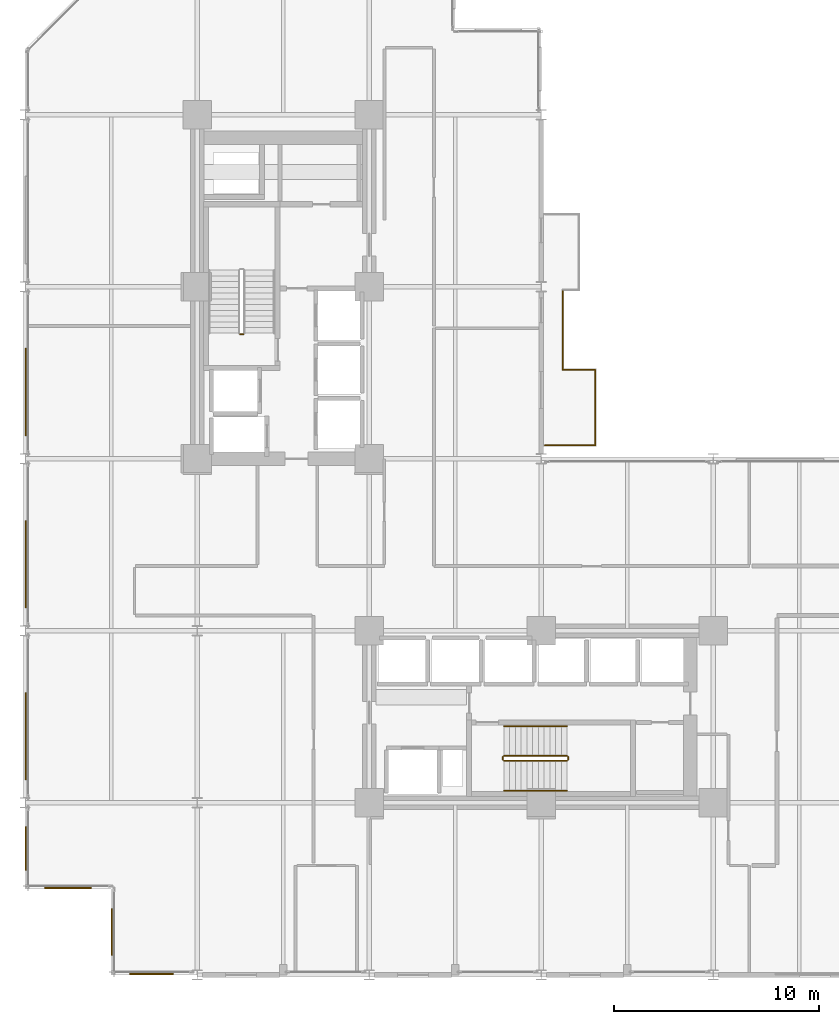
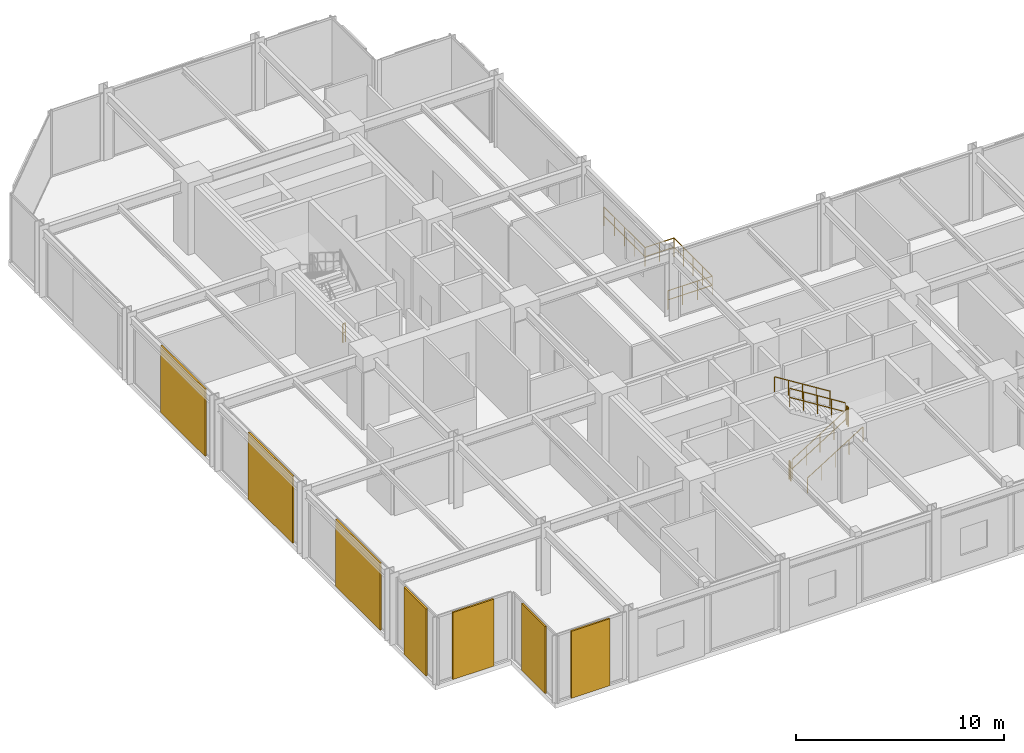
# One storey, part 22 of 24: 11 railings, 7 coverings.
"""IFC4 building model written with IfcOpenShell, lengths in metres."""

from ifc_helpers import new_model, si_unit, direction, frame, origin, origin_2d, place, context, subcontext, project, spatial, rectangle, circle, extrude, material, layer, layer_set, type_object, element, save


model = new_model("IFC4")

# Units and contexts
model_context = context("Model", 3, precision=1e-05, world=origin(), true_north=direction((0.0, 1.0)))
body_context = subcontext(model_context, "Body", "Model", "MODEL_VIEW")
ifc_project = project(units=[si_unit("LENGTHUNIT", "METRE"), si_unit("AREAUNIT", "SQUARE_METRE"), si_unit("VOLUMEUNIT", "CUBIC_METRE"), si_unit("PLANEANGLEUNIT", "RADIAN"), si_unit("MASSUNIT", "GRAM", prefix="KILO")], contexts=[model_context])

# Site, building, storey
site_placement = place(None, origin())
site = spatial("IfcSite", under=ifc_project, at=site_placement, CompositionType="ELEMENT")
building_placement = place(site_placement, origin())
building = spatial("IfcBuilding", under=site, at=building_placement, Name="Nerrivon Quay Data Exchange", CompositionType="ELEMENT")
storey_placement = place(building_placement, frame((0.0, 0.0, 33.199951171875)))
storey = spatial("IfcBuildingStorey", under=building, at=storey_placement, Name="L07", CompositionType="ELEMENT", Elevation=33.199951171875)

# Coverings
ifc_material_1 = material(Name="Architectural terracotta ceramic", Category="masonry")
ifc_layer = layer(ifc_material_1, 0.090087890625)
ifc_layer_set = layer_set([ifc_layer], Name="Architectural terracotta ceramic")
covering_type = type_object("IfcCoveringType", Name="COV-SCR-TERR", PredefinedType="CLADDING", material=ifc_layer_set)
covering_1_placement = place(storey_placement, frame((6.175048828125, 0.044921875, 0.0), z_axis=(0.0, 0.0, 1.0), x_axis=(-1.0, 0.0, 0.0)))
element("IfcCovering", 1, at=covering_1_placement, inside=storey, type_object=covering_type, Name="L07 Perforated Terracotta SOLAR SCREEN Cassette", PredefinedType="CLADDING", context=body_context, shape_type="SweptSolid", body=[
    extrude(rectangle(XDim=2.133056640625, YDim=0.090087890625, at=origin_2d()), origin(), (0.0, 0.0, 1.0), 3.925048828125),
])
for number, where, z_axis, x_axis, name in (
    (2, (4.2451171875, 2.10009765625, 0.0), (0.0, 0.0, 1.0), (0.0, 1.0, 0.0), "L07 Perforated Terracotta SOLAR SCREEN Cassette"),
    (3, (2.10009765625, 4.2451171875, 0.0), (0.0, 0.0, 1.0), (-1.0, 0.0, 0.0), "L07 Perforated Terracotta SOLAR SCREEN Cassette"),
):
    element("IfcCovering", number, at=place(storey_placement, frame(where, z_axis=z_axis, x_axis=x_axis)), inside=storey, type_object=covering_type, Name=name, PredefinedType="CLADDING", context=body_context, shape_type="SweptSolid", body=[
        extrude(rectangle(XDim=2.26806640625, YDim=0.090087890625, at=origin_2d()), origin(), (0.0, 0.0, 1.0), 3.925048828125),
    ])
covering_2_placement = place(storey_placement, frame((0.044921875, 6.175048828125, 0.0), z_axis=(0.0, 0.0, 1.0), x_axis=(0.0, 1.0, 0.0)))
element("IfcCovering", 4, at=covering_2_placement, inside=storey, type_object=covering_type, Name="L07 Perforated Terracotta SOLAR SCREEN Cassette", PredefinedType="CLADDING", context=body_context, shape_type="SweptSolid", body=[
    extrude(rectangle(XDim=2.133056640625, YDim=0.090087890625, at=origin_2d()), origin(), (0.0, 0.0, 1.0), 3.925048828125),
])
for number, where, z_axis, x_axis, name in (
    (5, (0.044921875, 11.652099609375, 0.0), (0.0, 0.0, 1.0), (0.0, 1.0, 0.0), "L07 Perforated Terracotta SOLAR SCREEN Cassette"),
    (6, (0.044921875, 20.052001953125, 0.0), (0.0, 0.0, 1.0), (0.0, 1.0, 0.0), "L07 Perforated Terracotta SOLAR SCREEN Cassette"),
    (7, (0.044921875, 28.451904296875, 0.0), (0.0, 0.0, 1.0), (0.0, 1.0, 0.0), "L07 Perforated Terracotta SOLAR SCREEN Cassette"),
):
    element("IfcCovering", number, at=place(storey_placement, frame(where, z_axis=z_axis, x_axis=x_axis)), inside=storey, type_object=covering_type, Name=name, PredefinedType="CLADDING", context=body_context, shape_type="SweptSolid", body=[
        extrude(rectangle(XDim=4.26611328125, YDim=0.090087890625, at=origin_2d()), origin(), (0.0, 0.0, 1.0), 3.925048828125),
    ])

# Railings
ifc_material_2 = material(Name="Steel Grade C350L0 (350 MPa)", Category="steel")
railing_type_1 = type_object("IfcRailingType", Name="RAIL-GUARD-GR2", PredefinedType="BALUSTRADE", material=ifc_material_2)
railing_1_placement = place(storey_placement, frame((26.239990234375, 29.5400390625, 0.0)))
element("IfcRailing", 8, at=railing_1_placement, inside=storey, type_object=railing_type_1, Name="L07 Verandah Balcony Guard 1.1 1", PredefinedType="BALUSTRADE", context=body_context, shape_type="SweptSolid", body=[
    extrude(circle(Radius=0.02392578125, at=origin_2d()), frame((0.0, 0.0, 1.09619140625), z_axis=(1.0, 0.0, 0.0), x_axis=(0.0, 1.0, 0.0)), (0.0, 0.0, 1.0), 1.60009765625),
    extrude(circle(Radius=0.02392578125, at=origin_2d()), frame((0.0, 0.0, 0.56005859375), z_axis=(1.0, 0.0, 0.0), x_axis=(0.0, 1.0, 0.0)), (0.0, 0.0, 1.0), 1.60009765625),
    extrude(circle(Radius=0.02099609375, at=origin_2d()), origin(), (0.0, 0.0, 1.0), 1.072021484375),
    extrude(circle(Radius=0.02099609375, at=origin_2d()), frame((0.800048828125, 0.0, 0.0)), (0.0, 0.0, 1.0), 1.072021484375),
    extrude(circle(Radius=0.02099609375, at=origin_2d()), frame((1.60009765625, 0.0, 0.0)), (0.0, 0.0, 1.0), 1.072021484375),
])
railing_2_placement = place(storey_placement, frame((27.840087890625, 29.5400390625, 0.0)))
element("IfcRailing", 9, at=railing_2_placement, inside=storey, type_object=railing_type_1, Name="L07 Verandah Balcony Guard 1.2 1", PredefinedType="BALUSTRADE", context=body_context, shape_type="SweptSolid", body=[
    extrude(circle(Radius=0.02392578125, at=origin_2d()), frame((0.0, 0.0, 1.09619140625), z_axis=(0.0, -1.0, 0.0), x_axis=(1.0, 0.0, 0.0)), (0.0, 0.0, 1.0), 3.679931640625),
    extrude(circle(Radius=0.02392578125, at=origin_2d()), frame((0.0, 0.0, 0.56005859375), z_axis=(0.0, -1.0, 0.0), x_axis=(1.0, 0.0, 0.0)), (0.0, 0.0, 1.0), 3.679931640625),
    extrude(circle(Radius=0.02099609375, at=origin_2d()), origin(), (0.0, 0.0, 1.0), 1.072021484375),
    extrude(circle(Radius=0.02099609375, at=origin_2d()), frame((0.0, -0.919921875, 0.0)), (0.0, 0.0, 1.0), 1.072021484375),
    extrude(circle(Radius=0.02099609375, at=origin_2d()), frame((0.0, -1.83984375, 0.0)), (0.0, 0.0, 1.0), 1.072021484375),
    extrude(circle(Radius=0.02099609375, at=origin_2d()), frame((0.0, -2.760009765625, 0.0)), (0.0, 0.0, 1.0), 1.072021484375),
    extrude(circle(Radius=0.02099609375, at=origin_2d()), frame((0.0, -3.679931640625, 0.0)), (0.0, 0.0, 1.0), 1.072021484375),
])
railing_3_placement = place(storey_placement, frame((27.840087890625, 25.860107421875, 0.0)))
element("IfcRailing", 10, at=railing_3_placement, inside=storey, type_object=railing_type_1, Name="L07 Verandah Balcony Guard 1.3 1", PredefinedType="BALUSTRADE", context=body_context, shape_type="SweptSolid", body=[
    extrude(circle(Radius=0.02392578125, at=origin_2d()), frame((0.0, 0.0, 1.09619140625), z_axis=(-1.0, 0.0, 0.0), x_axis=(0.0, -1.0, 0.0)), (0.0, 0.0, 1.0), 2.460205078125),
    extrude(circle(Radius=0.02392578125, at=origin_2d()), frame((0.0, 0.0, 0.56005859375), z_axis=(-1.0, 0.0, 0.0), x_axis=(0.0, -1.0, 0.0)), (0.0, 0.0, 1.0), 2.460205078125),
    extrude(circle(Radius=0.02099609375, at=origin_2d()), origin(), (0.0, 0.0, 1.0), 1.072021484375),
    extrude(circle(Radius=0.02099609375, at=origin_2d()), frame((-0.820068359375, 0.0, 0.0)), (0.0, 0.0, 1.0), 1.072021484375),
    extrude(circle(Radius=0.02099609375, at=origin_2d()), frame((-1.64013671875, 0.0, 0.0)), (0.0, 0.0, 1.0), 1.072021484375),
    extrude(circle(Radius=0.02099609375, at=origin_2d()), frame((-2.460205078125, 0.0, 0.0)), (0.0, 0.0, 1.0), 1.072021484375),
])
railing_4_placement = place(storey_placement, frame((26.239990234375, 33.4599609375, 0.0)))
element("IfcRailing", 11, at=railing_4_placement, inside=storey, type_object=railing_type_1, Name="L07 Verandah Balcony Guard 1.7 1", PredefinedType="BALUSTRADE", context=body_context, shape_type="SweptSolid", body=[
    extrude(circle(Radius=0.02392578125, at=origin_2d()), frame((0.0, 0.0, 1.09619140625), z_axis=(0.0, -1.0, 0.0), x_axis=(1.0, 0.0, 0.0)), (0.0, 0.0, 1.0), 3.919921875),
    extrude(circle(Radius=0.02392578125, at=origin_2d()), frame((0.0, 0.0, 0.56005859375), z_axis=(0.0, -1.0, 0.0), x_axis=(1.0, 0.0, 0.0)), (0.0, 0.0, 1.0), 3.919921875),
    extrude(circle(Radius=0.02099609375, at=origin_2d()), origin(), (0.0, 0.0, 1.0), 1.072021484375),
    extrude(circle(Radius=0.02099609375, at=origin_2d()), frame((0.0, -0.97998046875, 0.0)), (0.0, 0.0, 1.0), 1.072021484375),
    extrude(circle(Radius=0.02099609375, at=origin_2d()), frame((0.0, -1.9599609375, 0.0)), (0.0, 0.0, 1.0), 1.072021484375),
    extrude(circle(Radius=0.02099609375, at=origin_2d()), frame((0.0, -2.93994140625, 0.0)), (0.0, 0.0, 1.0), 1.072021484375),
    extrude(circle(Radius=0.02099609375, at=origin_2d()), frame((0.0, -3.919921875, 0.0)), (0.0, 0.0, 1.0), 1.072021484375),
])
railing_type_2 = type_object("IfcRailingType", Name="RAIL-HAND-HR1", PredefinedType="HANDRAIL", material=ifc_material_2)
railing_5_placement = place(storey_placement, frame((23.3798828125, 9.0, 0.175048828125)))
element("IfcRailing", 12, at=railing_5_placement, inside=storey, type_object=railing_type_2, Name="L07 ST02 stair handrail 1", PredefinedType="HANDRAIL", context=body_context, shape_type="SweptSolid", body=[
    extrude(circle(Radius=0.02392578125, at=origin_2d()), frame((0.0, 0.0, 0.8759765625), z_axis=(0.847998304005, 0.0, 0.529998940003), x_axis=(0.0, 1.0, 0.0)), (0.0, 0.0, 1.0), 3.632080078125),
    extrude(circle(Radius=0.02099609375, at=origin_2d()), origin(), (0.0, 0.0, 1.0), 0.851806640625),
    extrude(circle(Radius=0.02099609375, at=origin_2d()), frame((0.77001953125, 0.0, 0.481201171875)), (0.0, 0.0, 1.0), 0.851806640625),
    extrude(circle(Radius=0.02099609375, at=origin_2d()), frame((1.5400390625, 0.0, 0.96240234375)), (0.0, 0.0, 1.0), 0.851806640625),
    extrude(circle(Radius=0.02099609375, at=origin_2d()), frame((2.31005859375, 0.0, 1.44384765625)), (0.0, 0.0, 1.0), 0.851806640625),
    extrude(circle(Radius=0.02099609375, at=origin_2d()), frame((3.080078125, 0.0, 1.925048828125)), (0.0, 0.0, 1.0), 0.851806640625),
])
railing_6_placement = place(storey_placement, frame((26.4599609375, 12.14990234375, 2.275146484375)))
element("IfcRailing", 13, at=railing_6_placement, inside=storey, type_object=railing_type_2, Name="L07 ST02 stair handrail 2", PredefinedType="HANDRAIL", context=body_context, shape_type="SweptSolid", body=[
    extrude(circle(Radius=0.02392578125, at=origin_2d()), frame((0.0, 0.0, 0.8759765625), z_axis=(-0.848028513186, 0.0, 0.529950602248), x_axis=(0.0, -1.0, 0.0)), (0.0, 0.0, 1.0), 3.632080078125),
    extrude(circle(Radius=0.02099609375, at=origin_2d()), origin(), (0.0, 0.0, 1.0), 0.851806640625),
    extrude(circle(Radius=0.02099609375, at=origin_2d()), frame((-0.77001953125, 0.0, 0.481201171875)), (0.0, 0.0, 1.0), 0.851806640625),
    extrude(circle(Radius=0.02099609375, at=origin_2d()), frame((-1.5400390625, 0.0, 0.96240234375)), (0.0, 0.0, 1.0), 0.851806640625),
    extrude(circle(Radius=0.02099609375, at=origin_2d()), frame((-2.31005859375, 0.0, 1.443603515625)), (0.0, 0.0, 1.0), 0.851806640625),
    extrude(circle(Radius=0.02099609375, at=origin_2d()), frame((-3.080078125, 0.0, 1.9248046875)), (0.0, 0.0, 1.0), 0.851806640625),
])
railing_type_3 = type_object("IfcRailingType", Name="RAIL-STAIR-GR1", PredefinedType="BALUSTRADE", material=ifc_material_2)
railing_7_placement = place(storey_placement, frame((10.64990234375, 31.280029296875, 0.0)))
element("IfcRailing", 14, at=railing_7_placement, inside=storey, type_object=railing_type_3, Name="L07 ST01 stair guard 4", PredefinedType="BALUSTRADE", context=body_context, shape_type="SweptSolid", body=[
    extrude(circle(Radius=0.02392578125, at=origin_2d()), frame((0.0, 0.0, 1.076171875), z_axis=(-1.0, 0.0, 0.0), x_axis=(0.0, -1.0, 0.0)), (0.0, 0.0, 1.0), 0.14990234375),
    extrude(circle(Radius=0.02392578125, at=origin_2d()), frame((0.0, 0.0, 0.550048828125), z_axis=(-1.0, 0.0, 0.0), x_axis=(0.0, -1.0, 0.0)), (0.0, 0.0, 1.0), 0.14990234375),
    extrude(circle(Radius=0.02099609375, at=origin_2d()), origin(), (0.0, 0.0, 1.0), 1.052001953125),
    extrude(circle(Radius=0.02099609375, at=origin_2d()), frame((-0.14990234375, 0.0, 0.0)), (0.0, 0.0, 1.0), 1.052001953125),
])
railing_8_placement = place(storey_placement, frame((23.3798828125, 10.449951171875, 0.175048828125)))
element("IfcRailing", 15, at=railing_8_placement, inside=storey, type_object=railing_type_3, Name="L07 ST02 stair guard 1", PredefinedType="BALUSTRADE", context=body_context, shape_type="SweptSolid", body=[
    extrude(circle(Radius=0.02392578125, at=origin_2d()), frame((0.0, 0.0, 1.076171875), z_axis=(0.847998304005, 0.0, 0.529998940003), x_axis=(0.0, 1.0, 0.0)), (0.0, 0.0, 1.0), 3.632080078125),
    extrude(circle(Radius=0.02392578125, at=origin_2d()), frame((0.0, 0.0, 0.550048828125), z_axis=(0.847998304005, 0.0, 0.529998940003), x_axis=(0.0, 1.0, 0.0)), (0.0, 0.0, 1.0), 3.632080078125),
    extrude(circle(Radius=0.02099609375, at=origin_2d()), origin(), (0.0, 0.0, 1.0), 1.052001953125),
    extrude(circle(Radius=0.02099609375, at=origin_2d()), frame((0.77001953125, 0.0, 0.481201171875)), (0.0, 0.0, 1.0), 1.052001953125),
    extrude(circle(Radius=0.02099609375, at=origin_2d()), frame((1.5400390625, 0.0, 0.96240234375)), (0.0, 0.0, 1.0), 1.052001953125),
    extrude(circle(Radius=0.02099609375, at=origin_2d()), frame((2.31005859375, 0.0, 1.44384765625)), (0.0, 0.0, 1.0), 1.052001953125),
    extrude(circle(Radius=0.02099609375, at=origin_2d()), frame((3.080078125, 0.0, 1.925048828125)), (0.0, 0.0, 1.0), 1.052001953125),
])
railing_9_placement = place(storey_placement, frame((26.510009765625, 10.5, 2.10009765625)))
element("IfcRailing", 16, at=railing_9_placement, inside=storey, type_object=railing_type_3, Name="L07 ST02 stair guard 2", PredefinedType="BALUSTRADE", context=body_context, shape_type="SweptSolid", body=[
    extrude(circle(Radius=0.02392578125, at=origin_2d()), frame((0.0, 0.0, 1.076171875), z_axis=(0.0, 1.0, 0.0), x_axis=(-1.0, 0.0, 0.0)), (0.0, 0.0, 1.0), 0.14990234375),
    extrude(circle(Radius=0.02392578125, at=origin_2d()), frame((0.0, 0.0, 0.550048828125), z_axis=(0.0, 1.0, 0.0), x_axis=(-1.0, 0.0, 0.0)), (0.0, 0.0, 1.0), 0.14990234375),
    extrude(circle(Radius=0.02099609375, at=origin_2d()), origin(), (0.0, 0.0, 1.0), 1.052001953125),
    extrude(circle(Radius=0.02099609375, at=origin_2d()), frame((0.0, 0.14990234375, 0.0)), (0.0, 0.0, 1.0), 1.052001953125),
])
railing_10_placement = place(storey_placement, frame((26.4599609375, 10.699951171875, 2.275146484375)))
element("IfcRailing", 17, at=railing_10_placement, inside=storey, type_object=railing_type_3, Name="L07 ST02 stair guard 3", PredefinedType="BALUSTRADE", context=body_context, shape_type="SweptSolid", body=[
    extrude(circle(Radius=0.02392578125, at=origin_2d()), frame((0.0, 0.0, 1.076171875), z_axis=(-0.848028513186, 0.0, 0.529950602248), x_axis=(0.0, -1.0, 0.0)), (0.0, 0.0, 1.0), 3.632080078125),
    extrude(circle(Radius=0.02392578125, at=origin_2d()), frame((0.0, 0.0, 0.550048828125), z_axis=(-0.848028513186, 0.0, 0.529950602248), x_axis=(0.0, -1.0, 0.0)), (0.0, 0.0, 1.0), 3.632080078125),
    extrude(circle(Radius=0.02099609375, at=origin_2d()), origin(), (0.0, 0.0, 1.0), 1.052001953125),
    extrude(circle(Radius=0.02099609375, at=origin_2d()), frame((-0.77001953125, 0.0, 0.481201171875)), (0.0, 0.0, 1.0), 1.052001953125),
    extrude(circle(Radius=0.02099609375, at=origin_2d()), frame((-1.5400390625, 0.0, 0.96240234375)), (0.0, 0.0, 1.0), 1.052001953125),
    extrude(circle(Radius=0.02099609375, at=origin_2d()), frame((-2.31005859375, 0.0, 1.443603515625)), (0.0, 0.0, 1.0), 1.052001953125),
    extrude(circle(Radius=0.02099609375, at=origin_2d()), frame((-3.080078125, 0.0, 1.9248046875)), (0.0, 0.0, 1.0), 1.052001953125),
])
railing_11_placement = place(storey_placement, frame((23.330078125, 10.5, 0.0)))
element("IfcRailing", 18, at=railing_11_placement, inside=storey, type_object=railing_type_3, Name="L07 ST02 stair guard 4", PredefinedType="BALUSTRADE", context=body_context, shape_type="SweptSolid", body=[
    extrude(circle(Radius=0.02392578125, at=origin_2d()), frame((0.0, 0.0, 1.076171875), z_axis=(0.0, 1.0, 0.0), x_axis=(-1.0, 0.0, 0.0)), (0.0, 0.0, 1.0), 0.14990234375),
    extrude(circle(Radius=0.02392578125, at=origin_2d()), frame((0.0, 0.0, 0.550048828125), z_axis=(0.0, 1.0, 0.0), x_axis=(-1.0, 0.0, 0.0)), (0.0, 0.0, 1.0), 0.14990234375),
    extrude(circle(Radius=0.02099609375, at=origin_2d()), origin(), (0.0, 0.0, 1.0), 1.052001953125),
    extrude(circle(Radius=0.02099609375, at=origin_2d()), frame((0.0, 0.14990234375, 0.0)), (0.0, 0.0, 1.0), 1.052001953125),
])

save(model, "model.ifc")
